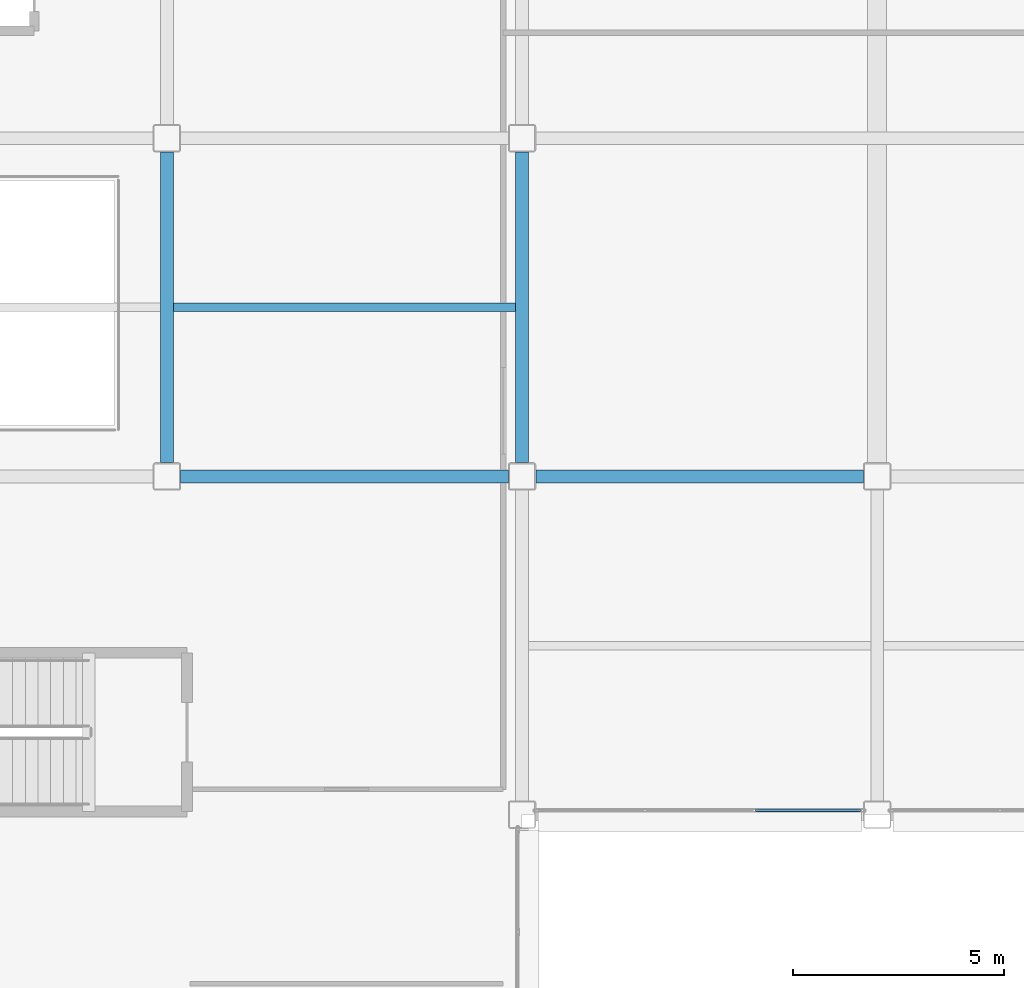
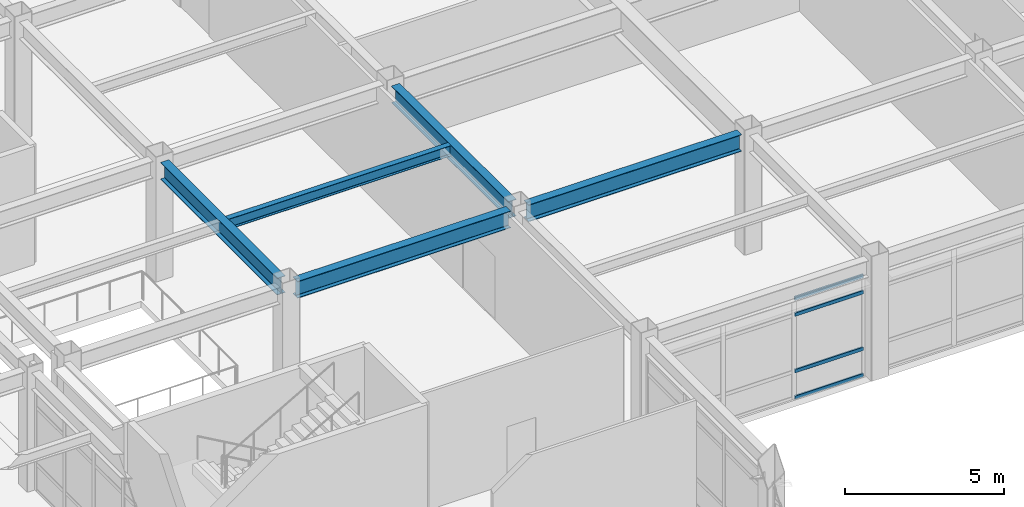
# One storey, part 42 of 172: 5 beams, 4 members, 1 element without a shape of its own.
"""IFC4 building model written with IfcOpenShell, lengths in metres."""

from ifc_helpers import new_model, si_unit, direction, frame, origin, origin_2d, place, context, subcontext, project, spatial, hollow_rectangle, i_section, extrude, material, layer, layer_set, material_profile, profile_set, type_object, element, aggregate, save


model = new_model("IFC4")

# Units and contexts
model_context = context("Model", 3, precision=1e-05, world=origin(), true_north=direction((0.0, 1.0)))
body_context = subcontext(model_context, "Body", "Model", "MODEL_VIEW")
ifc_project = project(units=[si_unit("LENGTHUNIT", "METRE"), si_unit("AREAUNIT", "SQUARE_METRE"), si_unit("VOLUMEUNIT", "CUBIC_METRE"), si_unit("PLANEANGLEUNIT", "RADIAN"), si_unit("MASSUNIT", "GRAM", prefix="KILO")], contexts=[model_context])

# Site, building, storey
site_placement = place(None, origin())
site = spatial("IfcSite", under=ifc_project, at=site_placement, CompositionType="ELEMENT")
building_placement = place(site_placement, origin())
building = spatial("IfcBuilding", under=site, at=building_placement, Name="Kazehara Bluff Congress Hotel", CompositionType="ELEMENT")
storey_placement = place(building_placement, frame((0.0, 0.0, 5.39990234375)))
storey = spatial("IfcBuildingStorey", under=building, at=storey_placement, Name="L01", CompositionType="ELEMENT", Elevation=5.39990234375)

# Curtain wall, members
ifc_material_1 = material(Name="Anodised aluminium", Category="aluminium")
ifc_layer = layer(ifc_material_1, 0.159912109375)
ifc_layer_set = layer_set([ifc_layer], Name="Anodised aluminium")
curtain_wall_type = type_object("IfcCurtainWallType", Name="TP-CW-24", PredefinedType="NOTDEFINED", material=ifc_layer_set)
curtain_wall_placement = place(storey_placement, origin())
curtain_wall = element("IfcCurtainWall", 1, at=curtain_wall_placement, inside=storey, type_object=curtain_wall_type, Name="L01 curtain wall CW-24 CW-ENC-V4-L01-8025-1610", PredefinedType="NOTDEFINED")
ifc_material_2 = material(Name="Anodised aluminium", Category="aluminium")
ifc_material_profile_1 = material_profile(ifc_material_2, hollow_rectangle(XDim=0.06494140625, YDim=0.139892578125, WallThickness=0.00390625, InnerFilletRadius=0.00390625, OuterFilletRadius=0.008056640625, at=origin_2d()))
ifc_profile_set_1 = profile_set([ifc_material_profile_1], Name="Anodised aluminium")
member_type = type_object("IfcMemberType", Name="TP-CWT-02", PredefinedType="USERDEFINED", material=ifc_profile_set_1)
member_1_placement = place(storey_placement, frame((84.06005859375, 16.10009765625, 0.03271484375), z_axis=(-1.0, 0.0, 0.0), x_axis=(0.0, -1.0, 0.0)))
member_1 = element("IfcMember", 2, at=member_1_placement, type_object=member_type, Name="CW-24 transom 1.1", ObjectType="TRANSOM", PredefinedType="USERDEFINED", context=body_context, shape_type="SweptSolid", body=[
    extrude(hollow_rectangle(XDim=0.06494140625, YDim=0.139892578125, WallThickness=0.00390625, InnerFilletRadius=0.00390625, OuterFilletRadius=0.008056640625, at=origin_2d()), origin(), (0.0, 0.0, 1.0), 2.48583984375),
])
member_2_placement = place(storey_placement, frame((84.06005859375, 16.10009765625, 1.050048828125), z_axis=(-1.0, 0.0, 0.0), x_axis=(0.0, -1.0, 0.0)))
member_2 = element("IfcMember", 3, at=member_2_placement, type_object=member_type, Name="CW-24 transom 1.2", ObjectType="TRANSOM", PredefinedType="USERDEFINED", context=body_context, shape_type="SweptSolid", body=[
    extrude(hollow_rectangle(XDim=0.06494140625, YDim=0.139892578125, WallThickness=0.00390625, InnerFilletRadius=0.00390625, OuterFilletRadius=0.008056640625, at=origin_2d()), origin(), (0.0, 0.0, 1.0), 2.48583984375),
])
member_3_placement = place(storey_placement, frame((84.06005859375, 16.10009765625, 3.22509765625), z_axis=(-1.0, 0.0, 0.0), x_axis=(0.0, -1.0, 0.0)))
member_3 = element("IfcMember", 4, at=member_3_placement, type_object=member_type, Name="CW-24 transom 1.3", ObjectType="TRANSOM", PredefinedType="USERDEFINED", context=body_context, shape_type="SweptSolid", body=[
    extrude(hollow_rectangle(XDim=0.06494140625, YDim=0.139892578125, WallThickness=0.00390625, InnerFilletRadius=0.00390625, OuterFilletRadius=0.008056640625, at=origin_2d()), origin(), (0.0, 0.0, 1.0), 2.48583984375),
])
member_4_placement = place(storey_placement, frame((84.06005859375, 16.10009765625, 3.842529296875), z_axis=(-1.0, 0.0, 0.0), x_axis=(0.0, -1.0, 0.0)))
member_4 = element("IfcMember", 5, at=member_4_placement, type_object=member_type, Name="CW-24 transom 1.4", ObjectType="TRANSOM", PredefinedType="USERDEFINED", context=body_context, shape_type="SweptSolid", body=[
    extrude(hollow_rectangle(XDim=0.06494140625, YDim=0.139892578125, WallThickness=0.00390625, InnerFilletRadius=0.00390625, OuterFilletRadius=0.008056640625, at=origin_2d()), origin(), (0.0, 0.0, 1.0), 2.48583984375),
])
aggregate(curtain_wall, [member_1, member_2, member_3, member_4])

# Beams
ifc_material_3 = material(Name="Steel SN490B", Category="steel")
ifc_material_profile_2 = material_profile(ifc_material_3, i_section(OverallWidth=0.300048828125, OverallDepth=0.64990234375, WebThickness=0.011962890625, FlangeThickness=0.02001953125, FilletRadius=0.012939453125, at=origin_2d()))
ifc_profile_set_2 = profile_set([ifc_material_profile_2], Name="Steel SN490B")
beam_type_1 = type_object("IfcBeamType", Name="TP-G-03", PredefinedType="BEAM", material=ifc_profile_set_2)
for number, where, z_axis, x_axis, name in (
    (6, (67.64990234375, 24.324951171875, 4.22509765625), (0.0, 1.0, 0.0), (-1.0, 0.0, 0.0), "L01 girder G-03 156"),
    (7, (76.050048828125, 24.324951171875, 4.22509765625), (0.0, 1.0, 0.0), (-1.0, 0.0, 0.0), "L01 girder G-03 165"),
):
    element("IfcBeam", number, at=place(storey_placement, frame(where, z_axis=z_axis, x_axis=x_axis)), inside=storey, type_object=beam_type_1, Name=name, PredefinedType="BEAM", context=body_context, shape_type="SweptSolid", body=[
        extrude(i_section(OverallWidth=0.300048828125, OverallDepth=0.64990234375, WebThickness=0.011962890625, FlangeThickness=0.02001953125, FilletRadius=0.012939453125, at=origin_2d()), origin(), (0.0, 0.0, 1.0), 7.35009765625),
    ])
for number, where, z_axis, x_axis, name in (
    (8, (67.97509765625, 24.0, 4.22509765625), (1.0, 0.0, 0.0), (0.0, 1.0, 0.0), "L01 girder G-03 194"),
    (9, (76.375, 24.0, 4.22509765625), (1.0, 0.0, 0.0), (0.0, 1.0, 0.0), "L01 girder G-03 195"),
):
    element("IfcBeam", number, at=place(storey_placement, frame(where, z_axis=z_axis, x_axis=x_axis)), inside=storey, type_object=beam_type_1, Name=name, PredefinedType="BEAM", context=body_context, shape_type="SweptSolid", body=[
        extrude(i_section(OverallWidth=0.300048828125, OverallDepth=0.64990234375, WebThickness=0.011962890625, FlangeThickness=0.02001953125, FilletRadius=0.012939453125, at=origin_2d()), origin(), (0.0, 0.0, 1.0), 7.75),
    ])
ifc_material_4 = material(Name="Steel SN400B", Category="steel")
ifc_material_profile_3 = material_profile(ifc_material_4, i_section(OverallWidth=0.199951171875, OverallDepth=0.39990234375, WebThickness=0.008056640625, FlangeThickness=0.012939453125, FilletRadius=0.012939453125, at=origin_2d()))
ifc_profile_set_3 = profile_set([ifc_material_profile_3], Name="Steel SN400B")
beam_type_2 = type_object("IfcBeamType", Name="TP-J-03", PredefinedType="JOIST", material=ifc_profile_set_3)
beam_placement = place(storey_placement, frame((67.800048828125, 28.0, 4.35009765625), z_axis=(1.0, 0.0, 0.0), x_axis=(0.0, 1.0, 0.0)))
element("IfcBeam", 10, at=beam_placement, inside=storey, type_object=beam_type_2, Name="L01 secondary joist J-03 40", PredefinedType="JOIST", context=body_context, shape_type="SweptSolid", body=[
    extrude(i_section(OverallWidth=0.199951171875, OverallDepth=0.39990234375, WebThickness=0.008056640625, FlangeThickness=0.012939453125, FilletRadius=0.012939453125, at=origin_2d()), origin(), (0.0, 0.0, 1.0), 8.099853515625),
])

save(model, "model.ifc")
